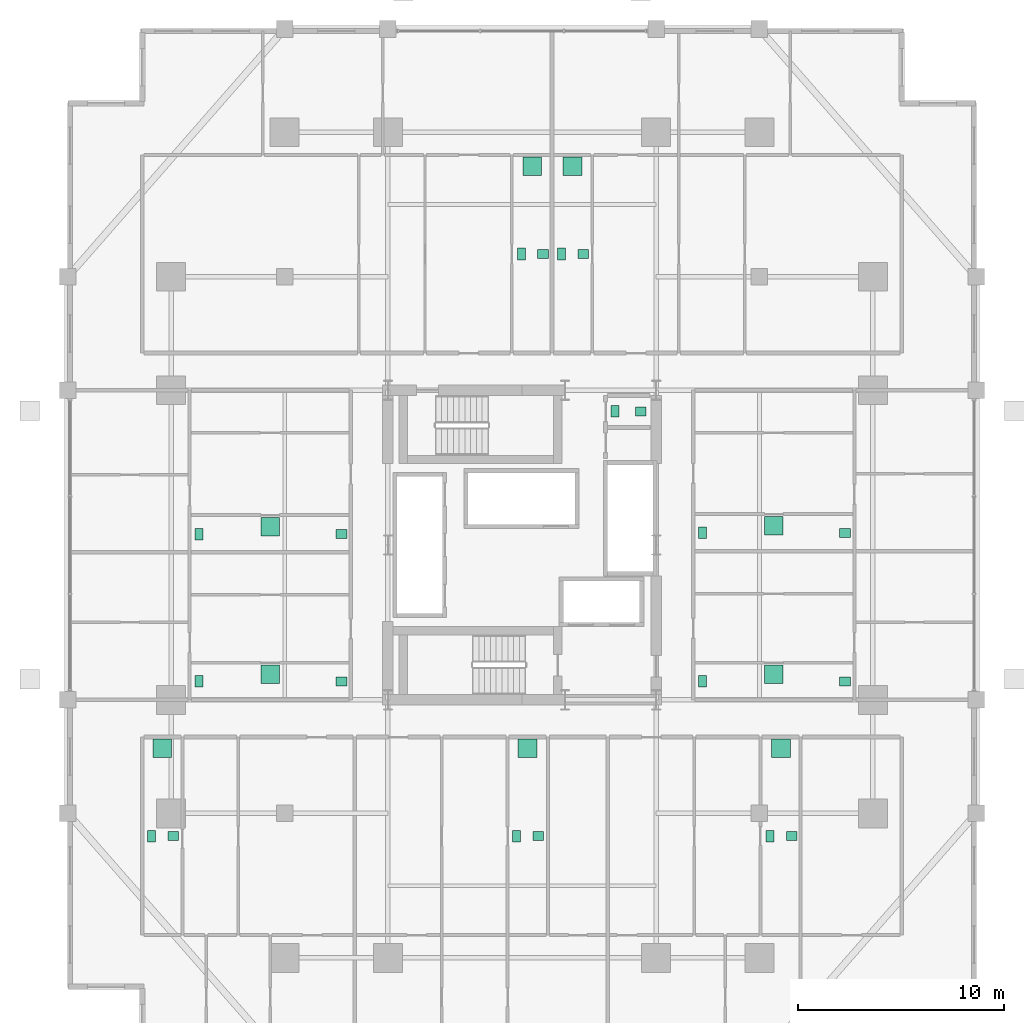
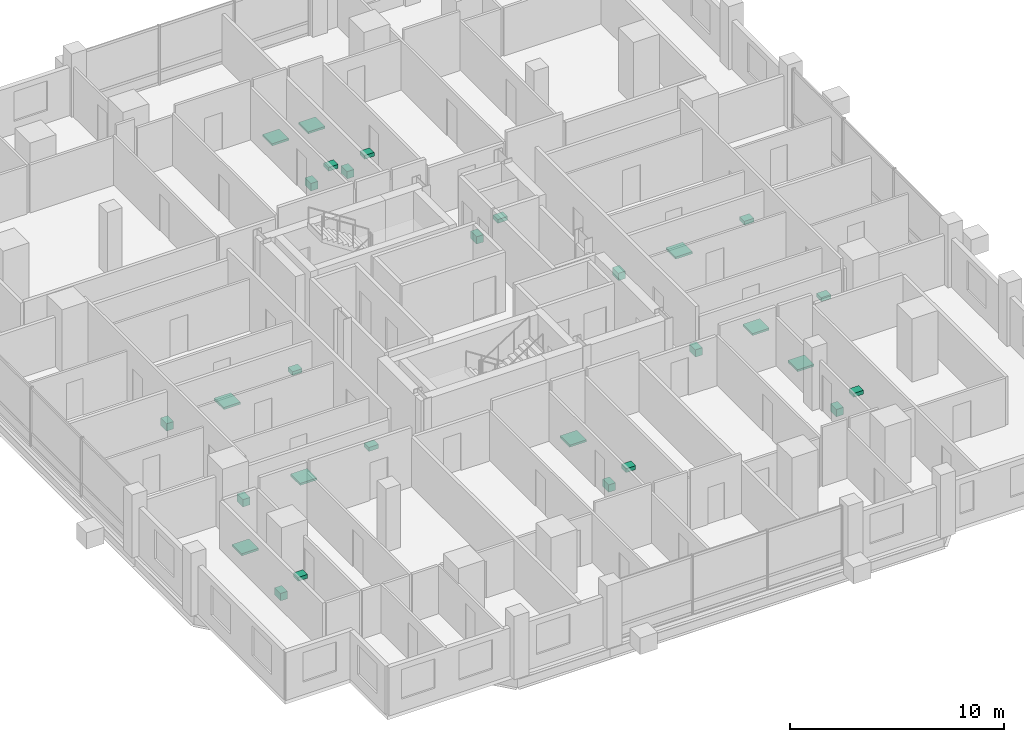
# One storey, part 24 of 24: 29 sanitary terminals.
"""IFC4 building model written with IfcOpenShell, lengths in metres."""

from ifc_helpers import new_model, si_unit, direction, frame, origin, origin_2d, place, context, subcontext, project, spatial, rectangle, extrude, material, type_object, element, save


model = new_model("IFC4")

# Units and contexts
model_context = context("Model", 3, precision=1e-05, world=origin(), true_north=direction((0.0, 1.0)))
body_context = subcontext(model_context, "Body", "Model", "MODEL_VIEW")
ifc_project = project(units=[si_unit("LENGTHUNIT", "METRE"), si_unit("AREAUNIT", "SQUARE_METRE"), si_unit("VOLUMEUNIT", "CUBIC_METRE"), si_unit("PLANEANGLEUNIT", "RADIAN"), si_unit("MASSUNIT", "GRAM", prefix="KILO")], contexts=[model_context])

# Site, building, storey
site_placement = place(None, origin())
site = spatial("IfcSite", under=ifc_project, at=site_placement, CompositionType="ELEMENT")
building_placement = place(site_placement, origin())
building = spatial("IfcBuilding", under=site, at=building_placement, Name="Barlavira Tower and Art Museum", CompositionType="ELEMENT")
storey_placement = place(building_placement, frame((0.0, 0.0, 32.39990234375)))
storey = spatial("IfcBuildingStorey", under=building, at=storey_placement, Name="L06", CompositionType="ELEMENT", Elevation=32.39990234375)

# Sanitary terminals
ifc_material = material(Name="Vitreous glazed ceramic", Category="ceramic")
sanitary_terminal_type_1 = type_object("IfcSanitaryTerminalType", Name="Countertop Ceramic Wash Hand Basin", PredefinedType="WASHHANDBASIN", material=ifc_material)
for number, where, z_axis, x_axis, name in (
    (1, (5.75, 6.47509765625, 0.740234375), (0.0, 0.0, 1.0), (1.0, 0.0, 0.0), "L06-C-WC1 Wash Basin"),
    (2, (-16.89990234375, -14.10009765625, 0.740234375), (0.0, 0.0, 1.0), (1.0, 0.0, 0.0), "L06-S1-BTH1 Wash Basin"),
    (3, (0.7900390625, -14.10009765625, 0.740234375), (0.0, 0.0, 1.0), (1.0, 0.0, 0.0), "L06-S2-BTH1 Wash Basin"),
    (4, (13.070068359375, -14.10009765625, 0.740234375), (0.0, 0.0, 1.0), (1.0, 0.0, 0.0), "L06-S3-BTH1 Wash Basin"),
    (5, (1.02001953125, 14.10009765625, 0.740234375), (0.0, 0.0, 1.0), (1.0, 0.0, 0.0), "L06-N1-BTH1 Wash Basin"),
    (6, (2.969970703125, 14.10009765625, 0.740234375), (0.0, 0.0, 1.0), (1.0, 0.0, 0.0), "L06-N2-BTH1 Wash Basin"),
    (7, (-8.75, -6.60009765625, 0.740234375), (0.0, 0.0, 1.0), (1.0, 0.0, 0.0), "L06-W1-BTH1 Wash Basin"),
    (8, (-8.75, 0.530029296875, 0.740234375), (0.0, 0.0, 1.0), (1.0, 0.0, 0.0), "L06-W2-BTH1 Wash Basin"),
    (9, (15.64990234375, -6.60009765625, 0.740234375), (0.0, 0.0, 1.0), (1.0, 0.0, 0.0), "L06-E1-BTH1 Wash Basin"),
    (10, (15.64990234375, 0.590087890625, 0.740234375), (0.0, 0.0, 1.0), (1.0, 0.0, 0.0), "L06-E2-BTH1 Wash Basin"),
):
    element("IfcSanitaryTerminal", number, at=place(storey_placement, frame(where, z_axis=z_axis, x_axis=x_axis)), inside=storey, type_object=sanitary_terminal_type_1, Name=name, PredefinedType="WASHHANDBASIN", context=body_context, shape_type="SweptSolid", body=[
        extrude(rectangle(XDim=0.52001953125, YDim=0.43994140625, at=origin_2d()), origin(), (0.0, 0.0, 1.0), 0.219970703125),
    ])
sanitary_terminal_type_2 = type_object("IfcSanitaryTerminalType", Name="Walk-In Thermostatic Rain Shower Unit", PredefinedType="SHOWER", material=ifc_material)
for number, where, z_axis, x_axis, name in (
    (11, (-17.425048828125, -9.85009765625, 0.0), (0.0, 0.0, 1.0), (1.0, 0.0, 0.0), "L06-S1-BTH1 Rain Shower"),
    (12, (0.264892578125, -9.85009765625, 0.0), (0.0, 0.0, 1.0), (1.0, 0.0, 0.0), "L06-S2-BTH1 Rain Shower"),
    (13, (12.544921875, -9.85009765625, 0.0), (0.0, 0.0, 1.0), (1.0, 0.0, 0.0), "L06-S3-BTH1 Rain Shower"),
    (14, (0.4951171875, 18.35009765625, 0.0), (0.0, 0.0, 1.0), (1.0, 0.0, 0.0), "L06-N1-BTH1 Rain Shower"),
    (15, (2.445068359375, 18.35009765625, 0.0), (0.0, 0.0, 1.0), (1.0, 0.0, 0.0), "L06-N2-BTH1 Rain Shower"),
    (16, (-12.199951171875, -6.25, 0.0), (0.0, 0.0, 1.0), (1.0, 0.0, 0.0), "L06-W1-BTH1 Rain Shower"),
    (17, (-12.199951171875, 0.8798828125, 0.0), (0.0, 0.0, 1.0), (1.0, 0.0, 0.0), "L06-W2-BTH1 Rain Shower"),
    (18, (12.199951171875, -6.25, 0.0), (0.0, 0.0, 1.0), (1.0, 0.0, 0.0), "L06-E1-BTH1 Rain Shower"),
    (19, (12.199951171875, 0.93994140625, 0.0), (0.0, 0.0, 1.0), (1.0, 0.0, 0.0), "L06-E2-BTH1 Rain Shower"),
):
    element("IfcSanitaryTerminal", number, at=place(storey_placement, frame(where, z_axis=z_axis, x_axis=x_axis)), inside=storey, type_object=sanitary_terminal_type_2, Name=name, PredefinedType="SHOWER", context=body_context, shape_type="SweptSolid", body=[
        extrude(rectangle(XDim=0.89990234375, YDim=0.89990234375, at=origin_2d()), origin(), (0.0, 0.0, 1.0), 0.1201171875),
    ])
sanitary_terminal_type_3 = type_object("IfcSanitaryTerminalType", Name="Wall-Hung Dual-Flush Vitreous WC Pan", PredefinedType="TOILETPAN", material=ifc_material)
for number, where, z_axis, x_axis, name in (
    (20, (4.5, 6.47509765625, 0.000244140625), (0.0, 0.0, 1.0), (1.0, 0.0, 0.0), "L06-C-WC1 WC Pan"),
    (21, (-17.949951171875, -14.10009765625, 0.000244140625), (0.0, 0.0, 1.0), (1.0, 0.0, 0.0), "L06-S1-BTH1 WC Pan"),
    (22, (-0.260009765625, -14.10009765625, 0.000244140625), (0.0, 0.0, 1.0), (1.0, 0.0, 0.0), "L06-S2-BTH1 WC Pan"),
    (23, (12.02001953125, -14.10009765625, 0.000244140625), (0.0, 0.0, 1.0), (1.0, 0.0, 0.0), "L06-S3-BTH1 WC Pan"),
    (24, (-0.030029296875, 14.10009765625, 0.000244140625), (0.0, 0.0, 1.0), (1.0, 0.0, 0.0), "L06-N1-BTH1 WC Pan"),
    (25, (1.919921875, 14.10009765625, 0.000244140625), (0.0, 0.0, 1.0), (1.0, 0.0, 0.0), "L06-N2-BTH1 WC Pan"),
    (26, (-15.64990234375, -6.60009765625, 0.000244140625), (0.0, 0.0, 1.0), (1.0, 0.0, 0.0), "L06-W1-BTH1 WC Pan"),
    (27, (-15.64990234375, 0.530029296875, 0.000244140625), (0.0, 0.0, 1.0), (1.0, 0.0, 0.0), "L06-W2-BTH1 WC Pan"),
    (28, (8.75, -6.60009765625, 0.000244140625), (0.0, 0.0, 1.0), (1.0, 0.0, 0.0), "L06-E1-BTH1 WC Pan"),
    (29, (8.75, 0.590087890625, 0.000244140625), (0.0, 0.0, 1.0), (1.0, 0.0, 0.0), "L06-E2-BTH1 WC Pan"),
):
    element("IfcSanitaryTerminal", number, at=place(storey_placement, frame(where, z_axis=z_axis, x_axis=x_axis)), inside=storey, type_object=sanitary_terminal_type_3, Name=name, PredefinedType="TOILETPAN", context=body_context, shape_type="SweptSolid", body=[
        extrude(rectangle(XDim=0.3798828125, YDim=0.56005859375, at=origin_2d()), origin(), (0.0, 0.0, 1.0), 0.419921875),
    ])

save(model, "model.ifc")
